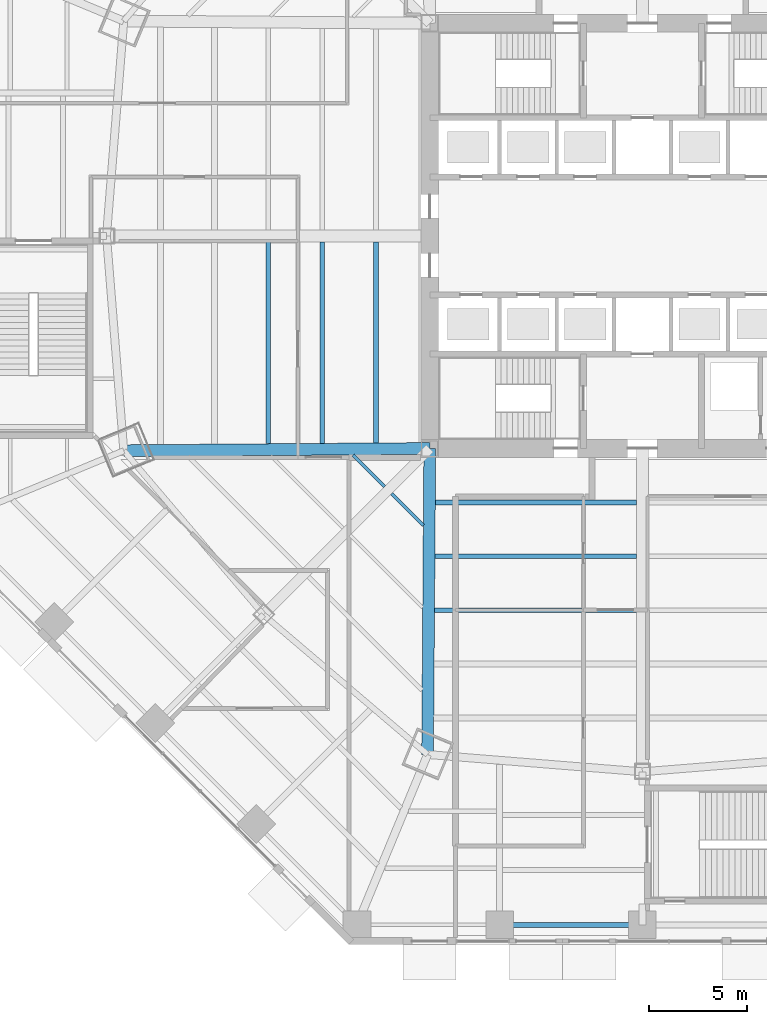
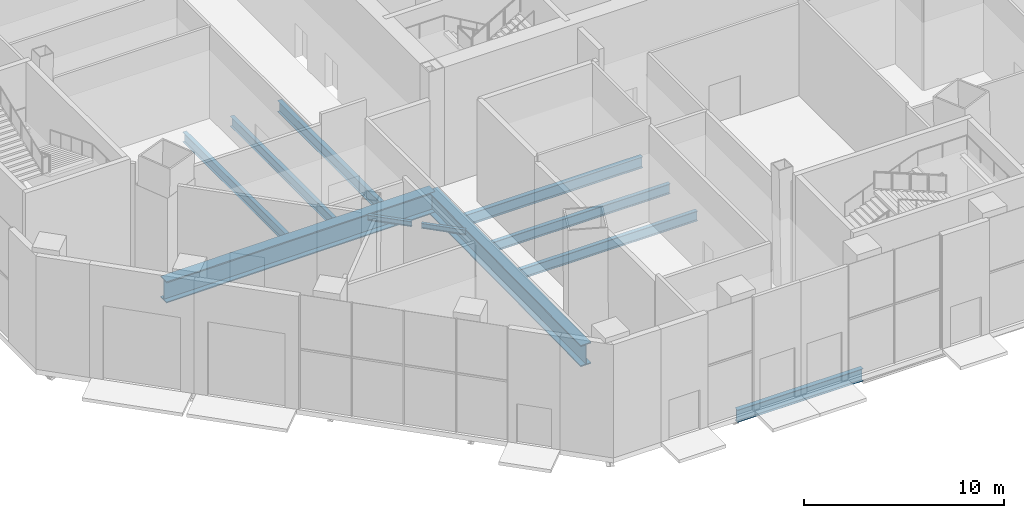
# One storey, part 4 of 35: 11 beams.
"""IFC4 building model written with IfcOpenShell, lengths in metres."""

from ifc_helpers import new_model, si_unit, direction, frame, origin, origin_2d, place, context, subcontext, project, spatial, i_section, extrude, material, material_profile, profile_set, type_object, element, save


model = new_model("IFC4")

# Units and contexts
model_context = context("Model", 3, precision=1e-05, world=origin(), true_north=direction((0.0, 1.0)))
body_context = subcontext(model_context, "Body", "Model", "MODEL_VIEW")
ifc_project = project(units=[si_unit("LENGTHUNIT", "METRE"), si_unit("AREAUNIT", "SQUARE_METRE"), si_unit("VOLUMEUNIT", "CUBIC_METRE"), si_unit("PLANEANGLEUNIT", "RADIAN"), si_unit("MASSUNIT", "GRAM", prefix="KILO")], contexts=[model_context])

# Site, building, storey
site_placement = place(None, origin())
site = spatial("IfcSite", under=ifc_project, at=site_placement, CompositionType="ELEMENT")
building_placement = place(site_placement, origin())
building = spatial("IfcBuilding", under=site, at=building_placement, Name="Mashrafa Tower", CompositionType="ELEMENT")
storey_placement = place(building_placement, origin())
storey = spatial("IfcBuildingStorey", under=building, at=storey_placement, Name="L00", CompositionType="ELEMENT", Elevation=0.0)

# Beams
ifc_material_1 = material(Name="Steel ASTM A572 Gr 50", Category="steel")
ifc_material_profile_1 = material_profile(ifc_material_1, i_section(OverallWidth=0.60009765625, OverallDepth=1.300048828125, WebThickness=0.028076171875, FlangeThickness=0.06494140625, at=origin_2d()), Name="H1300X600X28X65")
ifc_profile_set_1 = profile_set([ifc_material_profile_1], Name="Steel ASTM A572 Gr 50")
beam_type_1 = type_object("IfcBeamType", Name="Beam H1300X600X28X65", PredefinedType="BEAM", material=ifc_profile_set_1)
for number, where, z_axis, x_axis, name in (
    (1, (-10.800048828125, -10.800048828125, -0.949951171875), (-0.999973790557, -0.007240041422, 0.0), (0.007240041422, -0.999973790557, 0.0), "Radial girder L00 197"),
    (2, (-10.800048828125, -10.800048828125, -0.949951171875), (-0.007240041422, -0.999973790557, 0.0), (0.999973790557, -0.007240041422, 0.0), "Radial girder L00 199"),
):
    element("IfcBeam", number, at=place(storey_placement, frame(where, z_axis=z_axis, x_axis=x_axis)), inside=storey, type_object=beam_type_1, Name=name, PredefinedType="BEAM", context=body_context, shape_type="SweptSolid", body=[
        extrude(i_section(OverallWidth=0.60009765625, OverallDepth=1.300048828125, WebThickness=0.028076171875, FlangeThickness=0.06494140625, at=origin_2d()), origin(), (0.0, 0.0, 1.0), 15.54541015625),
    ])
ifc_material_2 = material(Name="Steel ASTM A992", Category="steel")
ifc_material_profile_2 = material_profile(ifc_material_2, i_section(OverallWidth=0.164794921875, OverallDepth=0.309814453125, WebThickness=0.005859375, FlangeThickness=0.009765625, FilletRadius=0.007568359375, at=origin_2d()), Name="W12X26")
ifc_profile_set_2 = profile_set([ifc_material_profile_2], Name="Steel ASTM A992")
beam_type_2 = type_object("IfcBeamType", Name="Beam W12X26", PredefinedType="BEAM", material=ifc_profile_set_2)
for number, where, z_axis, x_axis, name in (
    (3, (-13.089111328125, -12.735595703125, -0.454833984375), (-0.7071604821, 0.707053076194, 0.0), (-0.707053076194, -0.7071604821, 0.0), "Floor beam L00 032"),
    (4, (-11.12841796875, -14.696533203125, -0.454833984375), (-0.707053076194, 0.7071604821, 0.0), (-0.7071604821, -0.707053076194, 0.0), "Floor beam L00 042"),
):
    element("IfcBeam", number, at=place(storey_placement, frame(where, z_axis=z_axis, x_axis=x_axis)), inside=storey, type_object=beam_type_2, Name=name, PredefinedType="BEAM", context=body_context, shape_type="SweptSolid", body=[
        extrude(i_section(OverallWidth=0.164794921875, OverallDepth=0.309814453125, WebThickness=0.005859375, FlangeThickness=0.009765625, FilletRadius=0.007568359375, at=origin_2d()), origin(), (0.0, 0.0, 1.0), 2.27294921875),
    ])
ifc_material_3 = material(Name="Steel ASTM A992", Category="steel")
ifc_material_profile_3 = material_profile(ifc_material_3, i_section(OverallWidth=0.228271484375, OverallDepth=0.607177734375, WebThickness=0.01123046875, FlangeThickness=0.017333984375, FilletRadius=0.0126953125, at=origin_2d()), Name="W24X76")
ifc_profile_set_3 = profile_set([ifc_material_profile_3], Name="Steel ASTM A992")
beam_type_3 = type_object("IfcBeamType", Name="Beam W24X76", PredefinedType="BEAM", material=ifc_profile_set_3)
beam_1_placement = place(storey_placement, frame((-19.01171875, -10.559326171875, -0.603515625), z_axis=(0.0, 1.0, 0.0), x_axis=(-1.0, 0.0, 0.0)))
element("IfcBeam", 5, at=beam_1_placement, inside=storey, type_object=beam_type_3, Name="Floor beam L00 019", PredefinedType="BEAM", context=body_context, shape_type="SweptSolid", body=[
    extrude(i_section(OverallWidth=0.228271484375, OverallDepth=0.607177734375, WebThickness=0.01123046875, FlangeThickness=0.017333984375, FilletRadius=0.0126953125, at=origin_2d()), origin(), (0.0, 0.0, 1.0), 10.25927734375),
])
beam_2_placement = place(storey_placement, frame((-16.2744140625, -10.53955078125, -0.603515625), z_axis=(0.0, 1.0, 0.0), x_axis=(-1.0, 0.0, 0.0)))
element("IfcBeam", 6, at=beam_2_placement, inside=storey, type_object=beam_type_3, Name="Floor beam L00 023", PredefinedType="BEAM", context=body_context, shape_type="SweptSolid", body=[
    extrude(i_section(OverallWidth=0.228271484375, OverallDepth=0.607177734375, WebThickness=0.01123046875, FlangeThickness=0.017333984375, FilletRadius=0.0126953125, at=origin_2d()), origin(), (0.0, 0.0, 1.0), 10.239501953125),
])
beam_3_placement = place(storey_placement, frame((-0.300048828125, -19.01171875, -0.603515625), z_axis=(-1.0, 0.0, 0.0), x_axis=(0.0, -1.0, 0.0)))
element("IfcBeam", 7, at=beam_3_placement, inside=storey, type_object=beam_type_3, Name="Floor beam L00 050", PredefinedType="BEAM", context=body_context, shape_type="SweptSolid", body=[
    extrude(i_section(OverallWidth=0.228271484375, OverallDepth=0.607177734375, WebThickness=0.01123046875, FlangeThickness=0.017333984375, FilletRadius=0.0126953125, at=origin_2d()), origin(), (0.0, 0.0, 1.0), 10.25927734375),
])
beam_4_placement = place(storey_placement, frame((-0.300048828125, -16.2744140625, -0.603515625), z_axis=(-1.0, 0.0, 0.0), x_axis=(0.0, -1.0, 0.0)))
element("IfcBeam", 8, at=beam_4_placement, inside=storey, type_object=beam_type_3, Name="Floor beam L00 051", PredefinedType="BEAM", context=body_context, shape_type="SweptSolid", body=[
    extrude(i_section(OverallWidth=0.228271484375, OverallDepth=0.607177734375, WebThickness=0.01123046875, FlangeThickness=0.017333984375, FilletRadius=0.0126953125, at=origin_2d()), origin(), (0.0, 0.0, 1.0), 10.239501953125),
])
ifc_material_4 = material(Name="Steel ASTM A992", Category="steel")
ifc_material_profile_4 = material_profile(ifc_material_4, i_section(OverallWidth=0.25390625, OverallDepth=0.67822265625, WebThickness=0.01171875, FlangeThickness=0.016357421875, FilletRadius=0.01513671875, at=origin_2d()), Name="W27X84")
ifc_profile_set_4 = profile_set([ifc_material_profile_4], Name="Steel ASTM A992")
beam_type_4 = type_object("IfcBeamType", Name="Beam W27X84", PredefinedType="BEAM", material=ifc_profile_set_4)
for number, where, z_axis, x_axis, name in (
    (9, (-13.537109375, -10.519775390625, -0.63916015625), (0.0, 1.0, 0.0), (-1.0, 0.0, 0.0), "Floor beam L00 028"),
    (10, (-0.300048828125, -13.537109375, -0.63916015625), (-1.0, 0.0, 0.0), (0.0, -1.0, 0.0), "Floor beam L00 052"),
):
    element("IfcBeam", number, at=place(storey_placement, frame(where, z_axis=z_axis, x_axis=x_axis)), inside=storey, type_object=beam_type_4, Name=name, PredefinedType="BEAM", context=body_context, shape_type="SweptSolid", body=[
        extrude(i_section(OverallWidth=0.25390625, OverallDepth=0.67822265625, WebThickness=0.01171875, FlangeThickness=0.016357421875, FilletRadius=0.01513671875, at=origin_2d()), origin(), (0.0, 0.0, 1.0), 10.2197265625),
    ])
ifc_material_5 = material(Name="Steel ASTM A992", Category="steel")
ifc_material_profile_5 = material_profile(ifc_material_5, i_section(OverallWidth=0.2666015625, OverallDepth=0.75439453125, WebThickness=0.01318359375, FlangeThickness=0.01708984375, FilletRadius=0.0166015625, at=origin_2d()), Name="W30X99")
ifc_profile_set_5 = profile_set([ifc_material_profile_5], Name="Steel ASTM A992")
beam_type_5 = type_object("IfcBeamType", Name="Beam W30X99", PredefinedType="BEAM", material=ifc_profile_set_5)
beam_5_placement = place(storey_placement, frame((-7.248779296875, -35.0, -0.67724609375), z_axis=(1.0, 0.0, 0.0), x_axis=(0.0, 1.0, 0.0)))
element("IfcBeam", 11, at=beam_5_placement, inside=storey, type_object=beam_type_5, Name="Podium edge beam L00 121", PredefinedType="BEAM", context=body_context, shape_type="SweptSolid", body=[
    extrude(i_section(OverallWidth=0.2666015625, OverallDepth=0.75439453125, WebThickness=0.01318359375, FlangeThickness=0.01708984375, FilletRadius=0.0166015625, at=origin_2d()), origin(), (0.0, 0.0, 1.0), 7.248779296875),
])

save(model, "model.ifc")
